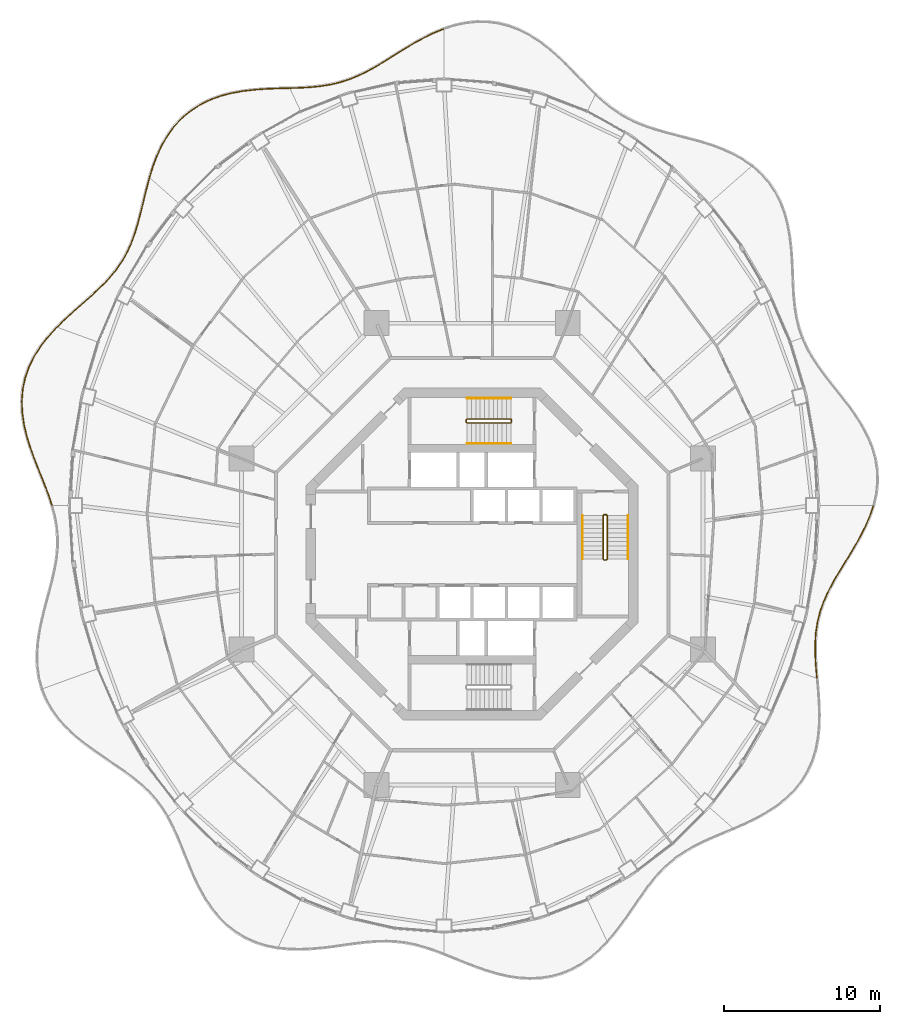
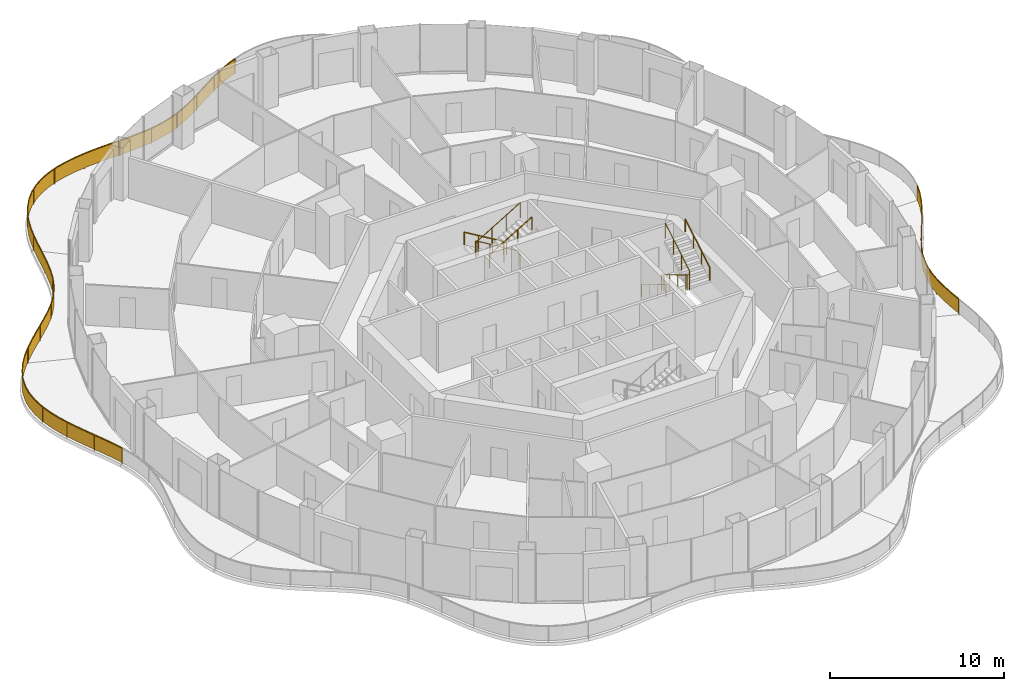
# One storey, part 17 of 18: 11 railings.
"""IFC4 building model written with IfcOpenShell, lengths in metres."""

from ifc_helpers import new_model, si_unit, direction, frame, origin, origin_2d, place, context, subcontext, project, spatial, polyline, rectangle, circle, outline, extrude, material, type_object, element, save


model = new_model("IFC4")

# Units and contexts
model_context = context("Model", 3, precision=1e-05, world=origin(), true_north=direction((0.0, 1.0)))
body_context = subcontext(model_context, "Body", "Model", "MODEL_VIEW")
ifc_project = project(units=[si_unit("LENGTHUNIT", "METRE"), si_unit("AREAUNIT", "SQUARE_METRE"), si_unit("VOLUMEUNIT", "CUBIC_METRE"), si_unit("PLANEANGLEUNIT", "RADIAN"), si_unit("MASSUNIT", "GRAM", prefix="KILO")], contexts=[model_context])

# Site, building, storey
site_placement = place(None, origin())
site = spatial("IfcSite", under=ifc_project, at=site_placement, CompositionType="ELEMENT")
building_placement = place(site_placement, origin())
building = spatial("IfcBuilding", under=site, at=building_placement, Name="Nagisa Residences", CompositionType="ELEMENT")
storey_placement = place(building_placement, frame((0.0, 0.0, 238.10009765625)))
storey = spatial("IfcBuildingStorey", under=building, at=storey_placement, Name="L60", CompositionType="ELEMENT", Elevation=238.10009765625)

# Railings
ifc_material_1 = material(Name="Stainless steel 316", Category="steel")
railing_type_1 = type_object("IfcRailingType", Name="BALCONY GUARD 1100", PredefinedType="BALUSTRADE", material=ifc_material_1)
railing_1_placement = place(storey_placement, frame((-1.835693359375, 33.625244140625, 0.0)))
element("IfcRailing", 1, at=railing_1_placement, inside=storey, type_object=railing_type_1, Name="guard:L60:bal04-0", PredefinedType="BALUSTRADE", context=body_context, shape_type="SweptSolid", body=[
    extrude(outline(polyline([(-0.6240234375, -0.28369140625), (0.009521484375, -0.023193359375), (-0.009521484375, 0.023193359375), (-0.64453125, -0.23779296875), (-1.3076171875, -0.560791015625), (-1.95166015625, -0.916259765625), (-2.575927734375, -1.2900390625), (-3.1826171875, -1.667724609375), (-3.755859375, -2.033935546875), (-4.335205078125, -2.381103515625), (-4.908447265625, -2.697509765625), (-5.480712890625, -2.974609375), (-6.0576171875, -3.20849609375), (-6.628173828125, -3.390869140625), (-7.231201171875, -3.53369140625), (-7.853271484375, -3.63525390625), (-8.496826171875, -3.7021484375), (-9.163330078125, -3.742431640625), (-9.80517578125, -3.762939453125), (-9.8037109375, -3.812744140625), (-9.160888671875, -3.792236328125), (-8.492919921875, -3.751953125), (-7.846435546875, -3.68505859375), (-7.221435546875, -3.5830078125), (-6.614990234375, -3.439208984375), (-6.04052734375, -3.25537109375), (-5.460205078125, -3.0205078125), (-4.885498046875, -2.741943359375), (-4.310302734375, -2.424560546875), (-3.7294921875, -2.076416015625), (-3.15576171875, -1.710205078125), (-2.550048828125, -1.33251953125), (-1.9267578125, -0.959716796875), (-1.28466796875, -0.605224609375), (-0.6240234375, -0.28369140625)])), frame((0.0, 0.0, 1.050048828125)), (0.0, 0.0, 1.0), 0.050048828125),
    extrude(outline(polyline([(-0.63134765625, -0.26708984375), (0.002685546875, -0.006591796875), (-0.002685546875, 0.006591796875), (-0.63720703125, -0.25439453125), (-1.29931640625, -0.576904296875), (-1.942626953125, -0.931884765625), (-2.566650390625, -1.305419921875), (-3.1728515625, -1.68310546875), (-3.746337890625, -2.04931640625), (-4.326171875, -2.396728515625), (-4.900146484375, -2.713623046875), (-5.473388671875, -2.9912109375), (-6.051513671875, -3.225341796875), (-6.62353515625, -3.408203125), (-7.227783203125, -3.551513671875), (-7.850830078125, -3.6533203125), (-8.495361328125, -3.719970703125), (-9.162353515625, -3.76025390625), (-9.8046875, -3.78076171875), (-9.80419921875, -3.794921875), (-9.161865234375, -3.7744140625), (-8.494384765625, -3.734130859375), (-7.848876953125, -3.6669921875), (-7.224853515625, -3.565185546875), (-6.61962890625, -3.421875), (-6.046630859375, -3.238525390625), (-5.467529296875, -3.00390625), (-4.893798828125, -2.725830078125), (-4.3193359375, -2.408935546875), (-3.739013671875, -2.06103515625), (-3.16552734375, -1.69482421875), (-2.559326171875, -1.317138671875), (-1.935791015625, -0.944091796875), (-1.29296875, -0.589111328125), (-0.63134765625, -0.26708984375)])), frame((0.0, 0.0, 0.06005859375)), (0.0, 0.0, 1.0), 0.989990234375),
    extrude(rectangle(XDim=0.0400390625, YDim=0.0400390625, at=origin_2d()), origin(), (0.0, 0.0, 1.0), 1.050048828125),
    extrude(rectangle(XDim=0.0400390625, YDim=0.0400390625, at=origin_2d()), frame((-1.92236328125, -0.9287109375, 0.0)), (0.0, 0.0, 1.0), 1.050048828125),
    extrude(rectangle(XDim=0.0400390625, YDim=0.0400390625, at=origin_2d()), frame((-3.739501953125, -2.05322265625, 0.0)), (0.0, 0.0, 1.0), 1.050048828125),
    extrude(rectangle(XDim=0.0400390625, YDim=0.0400390625, at=origin_2d()), frame((-5.622314453125, -3.05908203125, 0.0)), (0.0, 0.0, 1.0), 1.050048828125),
    extrude(rectangle(XDim=0.0400390625, YDim=0.0400390625, at=origin_2d()), frame((-7.674560546875, -3.631591796875, 0.0)), (0.0, 0.0, 1.0), 1.050048828125),
    extrude(rectangle(XDim=0.0400390625, YDim=0.0400390625, at=origin_2d()), frame((-9.804443359375, -3.787841796875, 0.0)), (0.0, 0.0, 1.0), 1.050048828125),
])
railing_2_placement = place(storey_placement, frame((-11.715576171875, 29.837158203125, 0.0)))
element("IfcRailing", 2, at=railing_2_placement, inside=storey, type_object=railing_type_1, Name="guard:L60:bal05-0", PredefinedType="BALUSTRADE", context=body_context, shape_type="SweptSolid", body=[
    extrude(outline(polyline([(-0.686767578125, -0.04150390625), (0.00048828125, -0.02490234375), (-0.00048828125, 0.02490234375), (-0.688232421875, 0.00830078125), (-1.435546875, -0.02099609375), (-2.1904296875, -0.072265625), (-2.9443359375, -0.159423828125), (-3.685791015625, -0.292236328125), (-4.39599609375, -0.474365234375), (-5.088134765625, -0.728759765625), (-5.739990234375, -1.0517578125), (-6.34375, -1.444580078125), (-6.892822265625, -1.90625), (-7.37109375, -2.421875), (-7.80126953125, -3.005859375), (-8.171875, -3.639404296875), (-8.48681640625, -4.31201171875), (-8.752685546875, -5.012939453125), (-8.961181640625, -5.687255859375), (-8.913330078125, -5.701904296875), (-8.705322265625, -5.029052734375), (-8.44091796875, -4.33154296875), (-8.12744140625, -3.662841796875), (-7.75927734375, -3.033203125), (-7.33251953125, -2.45361328125), (-6.858154296875, -1.9423828125), (-6.31396484375, -1.484619140625), (-5.715087890625, -1.09521484375), (-5.068115234375, -0.774658203125), (-4.38134765625, -0.522216796875), (-3.675048828125, -0.341064453125), (-2.93701171875, -0.208740234375), (-2.18603515625, -0.1220703125), (-1.43310546875, -0.07080078125), (-0.686767578125, -0.04150390625)])), frame((0.0, 0.0, 1.050048828125)), (0.0, 0.0, 1.0), 0.050048828125),
    extrude(outline(polyline([(-0.687255859375, -0.023681640625), (0.000244140625, -0.007080078125), (-0.000244140625, 0.007080078125), (-0.687744140625, -0.009521484375), (-1.434814453125, -0.038818359375), (-2.18896484375, -0.090087890625), (-2.941650390625, -0.17724609375), (-3.681884765625, -0.309814453125), (-4.390869140625, -0.49169921875), (-5.080810546875, -0.745361328125), (-5.73095703125, -1.0673828125), (-6.3330078125, -1.458984375), (-6.88037109375, -1.919189453125), (-7.357177734375, -2.433349609375), (-7.7861328125, -3.015625), (-8.15576171875, -3.64794921875), (-8.47021484375, -4.319091796875), (-8.735595703125, -5.018798828125), (-8.94384765625, -5.692626953125), (-8.9306640625, -5.696533203125), (-8.722412109375, -5.023193359375), (-8.45751953125, -4.324462890625), (-8.1435546875, -3.654296875), (-7.7744140625, -3.0234375), (-7.346435546875, -2.442138671875), (-6.87060546875, -1.929443359375), (-6.32470703125, -1.47021484375), (-5.72412109375, -1.07958984375), (-5.075439453125, -0.758056640625), (-4.386474609375, -0.5048828125), (-3.678955078125, -0.323486328125), (-2.939697265625, -0.19091796875), (-2.1875, -0.104248046875), (-1.433837890625, -0.052978515625), (-0.687255859375, -0.023681640625)])), frame((0.0, 0.0, 0.06005859375)), (0.0, 0.0, 1.0), 0.989990234375),
    extrude(rectangle(XDim=0.0400390625, YDim=0.0400390625, at=origin_2d()), origin(), (0.0, 0.0, 1.0), 1.050048828125),
    extrude(rectangle(XDim=0.0400390625, YDim=0.0400390625, at=origin_2d()), frame((-2.33056640625, -0.113525390625, 0.0)), (0.0, 0.0, 1.0), 1.050048828125),
    extrude(rectangle(XDim=0.0400390625, YDim=0.0400390625, at=origin_2d()), frame((-4.611083984375, -0.580078125, 0.0)), (0.0, 0.0, 1.0), 1.050048828125),
    extrude(rectangle(XDim=0.0400390625, YDim=0.0400390625, at=origin_2d()), frame((-6.630615234375, -1.718505859375, 0.0)), (0.0, 0.0, 1.0), 1.050048828125),
    extrude(rectangle(XDim=0.0400390625, YDim=0.0400390625, at=origin_2d()), frame((-8.07861328125, -3.52978515625, 0.0)), (0.0, 0.0, 1.0), 1.050048828125),
    extrude(rectangle(XDim=0.0400390625, YDim=0.0400390625, at=origin_2d()), frame((-8.937255859375, -5.694580078125, 0.0)), (0.0, 0.0, 1.0), 1.050048828125),
])
railing_3_placement = place(storey_placement, frame((-20.673095703125, 24.068115234375, 0.0)))
element("IfcRailing", 3, at=railing_3_placement, inside=storey, type_object=railing_type_1, Name="guard:L60:bal06-0", PredefinedType="BALUSTRADE", context=body_context, shape_type="SweptSolid", body=[
    extrude(outline(polyline([(-0.164794921875, -0.72021484375), (0.024169921875, -0.00634765625), (-0.024169921875, 0.00634765625), (-0.213134765625, -0.7080078125), (-0.39697265625, -1.459716796875), (-0.57470703125, -2.195068359375), (-0.761474609375, -2.905029296875), (-0.969970703125, -3.58349609375), (-1.204345703125, -4.214599609375), (-1.490234375, -4.822998046875), (-1.82568359375, -5.397705078125), (-2.21435546875, -5.94287109375), (-2.6552734375, -6.46484375), (-3.13818359375, -6.957763671875), (-3.667724609375, -7.45556640625), (-4.22705078125, -7.953857421875), (-4.80224609375, -8.4609375), (-5.377685546875, -8.98388671875), (-5.90576171875, -9.495361328125), (-5.87109375, -9.531494140625), (-5.343505859375, -9.0205078125), (-4.76904296875, -8.498046875), (-4.19384765625, -7.991455078125), (-3.634033203125, -7.49267578125), (-3.10302734375, -6.993408203125), (-2.6181640625, -6.49853515625), (-2.1748046875, -5.9736328125), (-1.78369140625, -5.425048828125), (-1.44580078125, -4.846435546875), (-1.157958984375, -4.234130859375), (-0.922607421875, -3.599609375), (-0.713134765625, -2.918701171875), (-0.5263671875, -2.207275390625), (-0.34814453125, -1.471435546875), (-0.164794921875, -0.72021484375)])), frame((0.0, 0.0, 1.050048828125)), (0.0, 0.0, 1.0), 0.050048828125),
    extrude(outline(polyline([(-0.18212890625, -0.7158203125), (0.0068359375, -0.001708984375), (-0.0068359375, 0.001708984375), (-0.19580078125, -0.71240234375), (-0.37939453125, -1.4638671875), (-0.557373046875, -2.199462890625), (-0.744140625, -2.909912109375), (-0.952880859375, -3.58935546875), (-1.1875, -4.2216796875), (-1.47412109375, -4.83154296875), (-1.810546875, -5.407470703125), (-2.2001953125, -5.953857421875), (-2.641845703125, -6.47705078125), (-3.12548828125, -6.970703125), (-3.655517578125, -7.468994140625), (-4.215087890625, -7.967529296875), (-4.790283203125, -8.474365234375), (-5.365478515625, -8.9970703125), (-5.893310546875, -9.50830078125), (-5.883544921875, -9.5185546875), (-5.355712890625, -9.00732421875), (-4.781005859375, -8.484619140625), (-4.205810546875, -7.977783203125), (-3.646240234375, -7.479248046875), (-3.11572265625, -6.98046875), (-2.631591796875, -6.486328125), (-2.18896484375, -5.962646484375), (-1.798828125, -5.415283203125), (-1.4619140625, -4.837890625), (-1.1748046875, -4.22705078125), (-0.939697265625, -3.59375), (-0.73046875, -2.913818359375), (-0.543701171875, -2.202880859375), (-0.36572265625, -1.46728515625), (-0.18212890625, -0.7158203125)])), frame((0.0, 0.0, 0.06005859375)), (0.0, 0.0, 1.0), 0.989990234375),
    extrude(rectangle(XDim=0.0400390625, YDim=0.0400390625, at=origin_2d()), origin(), (0.0, 0.0, 1.0), 1.050048828125),
    extrude(rectangle(XDim=0.0400390625, YDim=0.0400390625, at=origin_2d()), frame((-0.560302734375, -2.238037109375, 0.0)), (0.0, 0.0, 1.0), 1.050048828125),
    extrude(rectangle(XDim=0.0400390625, YDim=0.0400390625, at=origin_2d()), frame((-1.276611328125, -4.427490234375, 0.0)), (0.0, 0.0, 1.0), 1.050048828125),
    extrude(rectangle(XDim=0.0400390625, YDim=0.0400390625, at=origin_2d()), frame((-2.52880859375, -6.35400390625, 0.0)), (0.0, 0.0, 1.0), 1.050048828125),
    extrude(rectangle(XDim=0.0400390625, YDim=0.0400390625, at=origin_2d()), frame((-4.18896484375, -7.95361328125, 0.0)), (0.0, 0.0, 1.0), 1.050048828125),
    extrude(rectangle(XDim=0.0400390625, YDim=0.0400390625, at=origin_2d()), frame((-5.888427734375, -9.513427734375, 0.0)), (0.0, 0.0, 1.0), 1.050048828125),
])
railing_4_placement = place(storey_placement, frame((-26.615966796875, 14.500244140625, 0.0)))
element("IfcRailing", 4, at=railing_4_placement, inside=storey, type_object=railing_type_1, Name="guard:L60:bal07-0", PredefinedType="BALUSTRADE", context=body_context, shape_type="SweptSolid", body=[
    extrude(outline(polyline([(-0.49365234375, -0.5712890625), (0.018310546875, -0.01708984375), (-0.018310546875, 0.01708984375), (-0.53173828125, -0.53857421875), (-1.021728515625, -1.1611328125), (-1.443115234375, -1.81689453125), (-1.783935546875, -2.504150390625), (-2.0341796875, -3.219970703125), (-2.186279296875, -3.9462890625), (-2.24560546875, -4.7041015625), (-2.2138671875, -5.473388671875), (-2.099365234375, -6.247314453125), (-1.91455078125, -7.019775390625), (-1.673828125, -7.771240234375), (-1.398193359375, -8.525146484375), (-1.10498046875, -9.26513671875), (-0.814208984375, -9.98974609375), (-0.543701171875, -10.69970703125), (-0.322509765625, -11.356689453125), (-0.275146484375, -11.340576171875), (-0.496826171875, -10.6826171875), (-0.767822265625, -9.9716796875), (-1.05859375, -9.24658203125), (-1.351318359375, -8.507568359375), (-1.62646484375, -7.755126953125), (-1.8662109375, -7.006103515625), (-2.050048828125, -6.238037109375), (-2.1640625, -5.468505859375), (-2.1953125, -4.705078125), (-2.136474609375, -3.95361328125), (-1.98583984375, -3.233642578125), (-1.737548828125, -2.523681640625), (-1.399658203125, -1.841796875), (-0.980712890625, -1.1904296875), (-0.49365234375, -0.5712890625)])), frame((0.0, 0.0, 1.050048828125)), (0.0, 0.0, 1.0), 0.050048828125),
    extrude(outline(polyline([(-0.50732421875, -0.5595703125), (0.005126953125, -0.004638671875), (-0.005126953125, 0.004638671875), (-0.51806640625, -0.55029296875), (-1.0068359375, -1.171630859375), (-1.427490234375, -1.825927734375), (-1.76708984375, -2.51123046875), (-2.016845703125, -3.224853515625), (-2.168212890625, -3.948974609375), (-2.2275390625, -4.704345703125), (-2.196044921875, -5.4716796875), (-2.08154296875, -6.243896484375), (-1.897216796875, -7.014892578125), (-1.65673828125, -7.765380859375), (-1.38134765625, -8.518798828125), (-1.08837890625, -9.258544921875), (-0.797607421875, -9.983154296875), (-0.52685546875, -10.693603515625), (-0.305419921875, -11.350830078125), (-0.292236328125, -11.346435546875), (-0.513671875, -10.688720703125), (-0.784423828125, -9.978271484375), (-1.0751953125, -9.253173828125), (-1.3681640625, -8.513916015625), (-1.6435546875, -7.760986328125), (-1.883544921875, -7.010986328125), (-2.06787109375, -6.241455078125), (-2.181884765625, -5.47021484375), (-2.21337890625, -4.704833984375), (-2.154541015625, -3.950927734375), (-2.003173828125, -3.228759765625), (-1.75439453125, -2.5166015625), (-1.415283203125, -1.832763671875), (-0.99560546875, -1.179931640625), (-0.50732421875, -0.5595703125)])), frame((0.0, 0.0, 0.06005859375)), (0.0, 0.0, 1.0), 0.989990234375),
    extrude(rectangle(XDim=0.0400390625, YDim=0.0400390625, at=origin_2d()), origin(), (0.0, 0.0, 1.0), 1.050048828125),
    extrude(rectangle(XDim=0.0400390625, YDim=0.0400390625, at=origin_2d()), frame((-1.273681640625, -1.599609375, 0.0)), (0.0, 0.0, 1.0), 1.050048828125),
    extrude(rectangle(XDim=0.0400390625, YDim=0.0400390625, at=origin_2d()), frame((-2.062744140625, -3.478515625, 0.0)), (0.0, 0.0, 1.0), 1.050048828125),
    extrude(rectangle(XDim=0.0400390625, YDim=0.0400390625, at=origin_2d()), frame((-2.1826171875, -5.514404296875, 0.0)), (0.0, 0.0, 1.0), 1.050048828125),
    extrude(rectangle(XDim=0.0400390625, YDim=0.0400390625, at=origin_2d()), frame((-1.7314453125, -7.50927734375, 0.0)), (0.0, 0.0, 1.0), 1.050048828125),
    extrude(rectangle(XDim=0.0400390625, YDim=0.0400390625, at=origin_2d()), frame((-1.0126953125, -9.427978515625, 0.0)), (0.0, 0.0, 1.0), 1.050048828125),
    extrude(rectangle(XDim=0.0400390625, YDim=0.0400390625, at=origin_2d()), frame((-0.298828125, -11.3486328125, 0.0)), (0.0, 0.0, 1.0), 1.050048828125),
])
railing_5_placement = place(storey_placement, frame((22.072998046875, -7.923095703125, 0.0)))
element("IfcRailing", 5, at=railing_5_placement, inside=storey, type_object=railing_type_1, Name="guard:L60:bal15-0", PredefinedType="BALUSTRADE", context=body_context, shape_type="SweptSolid", body=[
    extrude(outline(polyline([(-0.08642578125, 0.725341796875), (-0.02490234375, -0.002197265625), (0.02490234375, 0.002197265625), (-0.03662109375, 0.728759765625), (-0.07763671875, 1.4775390625), (-0.081298828125, 2.20263671875), (-0.03515625, 2.904296875), (0.06982421875, 3.584716796875), (0.2353515625, 4.2353515625), (0.46826171875, 4.887939453125), (0.761474609375, 5.53466796875), (1.106201171875, 6.18212890625), (1.49072265625, 6.835205078125), (1.897216796875, 7.485595703125), (2.3115234375, 8.164306640625), (2.712890625, 8.859130859375), (3.08154296875, 9.5712890625), (3.399169921875, 10.29931640625), (3.6357421875, 10.99609375), (3.58837890625, 11.01220703125), (3.352294921875, 10.3173828125), (3.0361328125, 9.5927734375), (2.6689453125, 8.883056640625), (2.2685546875, 8.189697265625), (1.854736328125, 7.511962890625), (1.44775390625, 6.861083984375), (1.062744140625, 6.20654296875), (0.716552734375, 5.556640625), (0.421875, 4.906494140625), (0.1875, 4.25), (0.0205078125, 3.594970703125), (-0.0849609375, 2.90966796875), (-0.131591796875, 2.2041015625), (-0.12744140625, 1.47607421875), (-0.08642578125, 0.725341796875)])), frame((0.0, 0.0, 1.050048828125)), (0.0, 0.0, 1.0), 0.050048828125),
    extrude(outline(polyline([(-0.068603515625, 0.7265625), (-0.007080078125, -0.00048828125), (0.007080078125, 0.00048828125), (-0.054443359375, 0.7275390625), (-0.095458984375, 1.47705078125), (-0.099365234375, 2.203125), (-0.052978515625, 2.90625), (0.052001953125, 3.58837890625), (0.218017578125, 4.24072265625), (0.45166015625, 4.89453125), (0.745361328125, 5.54248046875), (1.090576171875, 6.19091796875), (1.475341796875, 6.844482421875), (1.8818359375, 7.4951171875), (2.296142578125, 8.17333984375), (2.697021484375, 8.86767578125), (3.065185546875, 9.5791015625), (3.38232421875, 10.305908203125), (3.61865234375, 11.001953125), (3.60546875, 11.00634765625), (3.369140625, 10.310791015625), (3.052490234375, 9.5849609375), (2.684814453125, 8.87451171875), (2.283935546875, 8.1806640625), (1.8701171875, 7.50244140625), (1.463134765625, 6.851806640625), (1.078369140625, 6.19775390625), (0.732666015625, 5.548828125), (0.4384765625, 4.89990234375), (0.204833984375, 4.24462890625), (0.038330078125, 3.59130859375), (-0.067138671875, 2.90771484375), (-0.113525390625, 2.20361328125), (-0.109619140625, 1.4765625), (-0.068603515625, 0.7265625)])), frame((0.0, 0.0, 0.06005859375)), (0.0, 0.0, 1.0), 0.989990234375),
    extrude(rectangle(XDim=0.0400390625, YDim=0.0400390625, at=origin_2d()), origin(), (0.0, 0.0, 1.0), 1.050048828125),
    extrude(rectangle(XDim=0.0400390625, YDim=0.0400390625, at=origin_2d()), frame((-0.095458984375, 2.36962890625, 0.0)), (0.0, 0.0, 1.0), 1.050048828125),
    extrude(rectangle(XDim=0.0400390625, YDim=0.0400390625, at=origin_2d()), frame((0.36962890625, 4.685791015625, 0.0)), (0.0, 0.0, 1.0), 1.050048828125),
    extrude(rectangle(XDim=0.0400390625, YDim=0.0400390625, at=origin_2d()), frame((1.440673828125, 6.7998046875, 0.0)), (0.0, 0.0, 1.0), 1.050048828125),
    extrude(rectangle(XDim=0.0400390625, YDim=0.0400390625, at=origin_2d()), frame((2.66796875, 8.831298828125, 0.0)), (0.0, 0.0, 1.0), 1.050048828125),
    extrude(rectangle(XDim=0.0400390625, YDim=0.0400390625, at=origin_2d()), frame((3.612060546875, 11.004150390625, 0.0)), (0.0, 0.0, 1.0), 1.050048828125),
])
ifc_material_2 = material(Name="Stainless steel", Category="steel")
railing_type_2 = type_object("IfcRailingType", Name="Stair guard 1100", PredefinedType="GUARDRAIL", material=ifc_material_2)
railing_6_placement = place(storey_placement, frame((8.599609375, 2.52490234375, 0.0)))
element("IfcRailing", 6, at=railing_6_placement, inside=storey, type_object=railing_type_2, Name="L60 ST-E stair guard 1", PredefinedType="GUARDRAIL", context=body_context, shape_type="SweptSolid", body=[
    extrude(circle(Radius=0.02392578125, at=origin_2d()), frame((0.0, 0.0, 1.076171875), z_axis=(-1.0, 0.0, 0.0), x_axis=(0.0, -1.0, 0.0)), (0.0, 0.0, 1.0), 0.14990234375),
    extrude(circle(Radius=0.02392578125, at=origin_2d()), frame((-0.14990234375, 0.0, 1.076171875), z_axis=(-0.274683208305, -0.273343290215, 0.921863645432), x_axis=(0.705375805398, -0.708833529934, 0.0)), (0.0, 0.0, 1.0), 0.18212890625),
    extrude(circle(Radius=0.02392578125, at=origin_2d()), frame((-0.199951171875, -0.0498046875, 1.244140625), z_axis=(0.0, -0.857242210791, 0.514913383045), x_axis=(1.0, 0.0, 0.0)), (0.0, 0.0, 1.0), 3.266357421875),
    extrude(circle(Radius=0.02392578125, at=origin_2d()), frame((-0.199951171875, -2.849853515625, 2.92578125), z_axis=(0.707106781187, -0.707106781187, 0.0), x_axis=(0.707106781187, 0.707106781187, 0.0)), (0.0, 0.0, 1.0), 0.07080078125),
    extrude(circle(Radius=0.02392578125, at=origin_2d()), frame((-0.14990234375, -2.89990234375, 2.92578125), z_axis=(1.0, 0.0, 0.0), x_axis=(0.0, 1.0, 0.0)), (0.0, 0.0, 1.0), 0.14990234375),
    extrude(circle(Radius=0.02392578125, at=origin_2d()), frame((0.0, -2.89990234375, 2.92578125), z_axis=(0.274243871929, 0.274243871929, 0.92172696468), x_axis=(-0.707106781187, 0.707106781187, 0.0)), (0.0, 0.0, 1.0), 0.1826171875),
    extrude(circle(Radius=0.02392578125, at=origin_2d()), frame((0.050048828125, -2.849853515625, 3.09423828125), z_axis=(0.0, 0.857242210791, 0.514913383045), x_axis=(-1.0, 0.0, 0.0)), (0.0, 0.0, 1.0), 3.266357421875),
    extrude(circle(Radius=0.02099609375, at=origin_2d()), origin(), (0.0, 0.0, 1.0), 1.052001953125),
    extrude(circle(Radius=0.02099609375, at=origin_2d()), frame((-0.14990234375, 0.0, 0.0)), (0.0, 0.0, 1.0), 1.052001953125),
    extrude(circle(Radius=0.02099609375, at=origin_2d()), frame((-0.199951171875, -0.0498046875, 0.16796875)), (0.0, 0.0, 1.0), 1.052001953125),
    extrude(circle(Radius=0.02099609375, at=origin_2d()), frame((-0.199951171875, -0.983154296875, 0.728515625)), (0.0, 0.0, 1.0), 1.052001953125),
    extrude(circle(Radius=0.02099609375, at=origin_2d()), frame((-0.199951171875, -1.91650390625, 1.289306640625)), (0.0, 0.0, 1.0), 1.052001953125),
    extrude(circle(Radius=0.02099609375, at=origin_2d()), frame((-0.199951171875, -2.849853515625, 1.849853515625)), (0.0, 0.0, 1.0), 1.052001953125),
    extrude(circle(Radius=0.02099609375, at=origin_2d()), frame((-0.14990234375, -2.89990234375, 1.849853515625)), (0.0, 0.0, 1.0), 1.052001953125),
    extrude(circle(Radius=0.02099609375, at=origin_2d()), frame((0.0, -2.89990234375, 1.849853515625)), (0.0, 0.0, 1.0), 1.052001953125),
    extrude(circle(Radius=0.02099609375, at=origin_2d()), frame((0.050048828125, -2.849853515625, 2.01806640625)), (0.0, 0.0, 1.0), 1.052001953125),
    extrude(circle(Radius=0.02099609375, at=origin_2d()), frame((0.050048828125, -1.91650390625, 2.57861328125)), (0.0, 0.0, 1.0), 1.052001953125),
    extrude(circle(Radius=0.02099609375, at=origin_2d()), frame((0.050048828125, -0.983154296875, 3.139404296875)), (0.0, 0.0, 1.0), 1.052001953125),
    extrude(circle(Radius=0.02099609375, at=origin_2d()), frame((0.050048828125, -0.0498046875, 3.699951171875)), (0.0, 0.0, 1.0), 1.052001953125),
])
railing_7_placement = place(storey_placement, frame((2.52490234375, 8.44970703125, 0.0)))
element("IfcRailing", 7, at=railing_7_placement, inside=storey, type_object=railing_type_2, Name="L60 ST-N stair guard 1", PredefinedType="GUARDRAIL", context=body_context, shape_type="SweptSolid", body=[
    extrude(circle(Radius=0.02392578125, at=origin_2d()), frame((0.0, 0.0, 1.076171875), z_axis=(0.0, 1.0, 0.0), x_axis=(-1.0, 0.0, 0.0)), (0.0, 0.0, 1.0), 0.14990234375),
    extrude(circle(Radius=0.02392578125, at=origin_2d()), frame((0.0, 0.14990234375, 1.076171875), z_axis=(-0.273343290215, 0.274683208305, 0.921863645432), x_axis=(-0.708833529934, -0.705375805398, 0.0)), (0.0, 0.0, 1.0), 0.18212890625),
    extrude(circle(Radius=0.02392578125, at=origin_2d()), frame((-0.0498046875, 0.199951171875, 1.244140625), z_axis=(-0.857242210791, 0.0, 0.514913383045), x_axis=(0.0, -1.0, 0.0)), (0.0, 0.0, 1.0), 3.266357421875),
    extrude(circle(Radius=0.02392578125, at=origin_2d()), frame((-2.849853515625, 0.199951171875, 2.92578125), z_axis=(-0.707106781187, -0.707106781187, 0.0), x_axis=(0.707106781187, -0.707106781187, 0.0)), (0.0, 0.0, 1.0), 0.07080078125),
    extrude(circle(Radius=0.02392578125, at=origin_2d()), frame((-2.89990234375, 0.14990234375, 2.92578125), z_axis=(0.0, -1.0, 0.0), x_axis=(1.0, 0.0, 0.0)), (0.0, 0.0, 1.0), 0.14990234375),
    extrude(circle(Radius=0.02392578125, at=origin_2d()), frame((-2.89990234375, 0.0, 2.92578125), z_axis=(0.274243871929, -0.274243871929, 0.92172696468), x_axis=(0.707106781187, 0.707106781187, 0.0)), (0.0, 0.0, 1.0), 0.1826171875),
    extrude(circle(Radius=0.02392578125, at=origin_2d()), frame((-2.849853515625, -0.050048828125, 3.09423828125), z_axis=(0.857242210791, 0.0, 0.514913383045), x_axis=(0.0, 1.0, 0.0)), (0.0, 0.0, 1.0), 3.266357421875),
    extrude(circle(Radius=0.02099609375, at=origin_2d()), origin(), (0.0, 0.0, 1.0), 1.052001953125),
    extrude(circle(Radius=0.02099609375, at=origin_2d()), frame((0.0, 0.14990234375, 0.0)), (0.0, 0.0, 1.0), 1.052001953125),
    extrude(circle(Radius=0.02099609375, at=origin_2d()), frame((-0.0498046875, 0.199951171875, 0.16796875)), (0.0, 0.0, 1.0), 1.052001953125),
    extrude(circle(Radius=0.02099609375, at=origin_2d()), frame((-0.983154296875, 0.199951171875, 0.728515625)), (0.0, 0.0, 1.0), 1.052001953125),
    extrude(circle(Radius=0.02099609375, at=origin_2d()), frame((-1.91650390625, 0.199951171875, 1.289306640625)), (0.0, 0.0, 1.0), 1.052001953125),
    extrude(circle(Radius=0.02099609375, at=origin_2d()), frame((-2.849853515625, 0.199951171875, 1.849853515625)), (0.0, 0.0, 1.0), 1.052001953125),
    extrude(circle(Radius=0.02099609375, at=origin_2d()), frame((-2.89990234375, 0.14990234375, 1.849853515625)), (0.0, 0.0, 1.0), 1.052001953125),
    extrude(circle(Radius=0.02099609375, at=origin_2d()), frame((-2.89990234375, 0.0, 1.849853515625)), (0.0, 0.0, 1.0), 1.052001953125),
    extrude(circle(Radius=0.02099609375, at=origin_2d()), frame((-2.849853515625, -0.050048828125, 2.01806640625)), (0.0, 0.0, 1.0), 1.052001953125),
    extrude(circle(Radius=0.02099609375, at=origin_2d()), frame((-1.91650390625, -0.050048828125, 2.57861328125)), (0.0, 0.0, 1.0), 1.052001953125),
    extrude(circle(Radius=0.02099609375, at=origin_2d()), frame((-0.983154296875, -0.050048828125, 3.139404296875)), (0.0, 0.0, 1.0), 1.052001953125),
    extrude(circle(Radius=0.02099609375, at=origin_2d()), frame((-0.0498046875, -0.050048828125, 3.699951171875)), (0.0, 0.0, 1.0), 1.052001953125),
])
ifc_material_3 = material(Name="Stainless steel", Category="steel")
railing_type_3 = type_object("IfcRailingType", Name="Stair handrail 900", PredefinedType="HANDRAIL", material=ifc_material_3)
railing_8_placement = place(storey_placement, frame((7.07470703125, 2.47509765625, 0.16796875)))
element("IfcRailing", 8, at=railing_8_placement, inside=storey, type_object=railing_type_3, Name="L60 ST-E stair handrail 1", PredefinedType="HANDRAIL", context=body_context, shape_type="SweptSolid", body=[
    extrude(circle(Radius=0.02392578125, at=origin_2d()), frame((0.0, 0.0, 0.8759765625), z_axis=(0.0, -0.857242210791, 0.514913383045), x_axis=(1.0, 0.0, 0.0)), (0.0, 0.0, 1.0), 3.266357421875),
    extrude(circle(Radius=0.02099609375, at=origin_2d()), origin(), (0.0, 0.0, 1.0), 0.851806640625),
    extrude(circle(Radius=0.02099609375, at=origin_2d()), frame((0.0, -0.933349609375, 0.560546875)), (0.0, 0.0, 1.0), 0.851806640625),
    extrude(circle(Radius=0.02099609375, at=origin_2d()), frame((0.0, -1.86669921875, 1.121337890625)), (0.0, 0.0, 1.0), 0.851806640625),
    extrude(circle(Radius=0.02099609375, at=origin_2d()), frame((0.0, -2.800048828125, 1.681884765625)), (0.0, 0.0, 1.0), 0.851806640625),
])
railing_9_placement = place(storey_placement, frame((9.974609375, -0.324951171875, 2.01806640625)))
element("IfcRailing", 9, at=railing_9_placement, inside=storey, type_object=railing_type_3, Name="L60 ST-E stair handrail 2", PredefinedType="HANDRAIL", context=body_context, shape_type="SweptSolid", body=[
    extrude(circle(Radius=0.02392578125, at=origin_2d()), frame((0.0, 0.0, 0.8759765625), z_axis=(0.0, 0.857242210791, 0.514913383045), x_axis=(-1.0, 0.0, 0.0)), (0.0, 0.0, 1.0), 3.266357421875),
    extrude(circle(Radius=0.02099609375, at=origin_2d()), origin(), (0.0, 0.0, 1.0), 0.851806640625),
    extrude(circle(Radius=0.02099609375, at=origin_2d()), frame((0.0, 0.933349609375, 0.560546875)), (0.0, 0.0, 1.0), 0.851806640625),
    extrude(circle(Radius=0.02099609375, at=origin_2d()), frame((0.0, 1.86669921875, 1.121337890625)), (0.0, 0.0, 1.0), 0.851806640625),
    extrude(circle(Radius=0.02099609375, at=origin_2d()), frame((0.0, 2.800048828125, 1.681884765625)), (0.0, 0.0, 1.0), 0.851806640625),
])
railing_10_placement = place(storey_placement, frame((2.47509765625, 9.974609375, 0.16796875)))
element("IfcRailing", 10, at=railing_10_placement, inside=storey, type_object=railing_type_3, Name="L60 ST-N stair handrail 1", PredefinedType="HANDRAIL", context=body_context, shape_type="SweptSolid", body=[
    extrude(circle(Radius=0.02392578125, at=origin_2d()), frame((0.0, 0.0, 0.8759765625), z_axis=(-0.857242210791, 0.0, 0.514913383045), x_axis=(0.0, -1.0, 0.0)), (0.0, 0.0, 1.0), 3.266357421875),
    extrude(circle(Radius=0.02099609375, at=origin_2d()), origin(), (0.0, 0.0, 1.0), 0.851806640625),
    extrude(circle(Radius=0.02099609375, at=origin_2d()), frame((-0.933349609375, 0.0, 0.560546875)), (0.0, 0.0, 1.0), 0.851806640625),
    extrude(circle(Radius=0.02099609375, at=origin_2d()), frame((-1.86669921875, 0.0, 1.121337890625)), (0.0, 0.0, 1.0), 0.851806640625),
    extrude(circle(Radius=0.02099609375, at=origin_2d()), frame((-2.800048828125, 0.0, 1.681884765625)), (0.0, 0.0, 1.0), 0.851806640625),
])
railing_11_placement = place(storey_placement, frame((-0.324951171875, 7.07470703125, 2.01806640625)))
element("IfcRailing", 11, at=railing_11_placement, inside=storey, type_object=railing_type_3, Name="L60 ST-N stair handrail 2", PredefinedType="HANDRAIL", context=body_context, shape_type="SweptSolid", body=[
    extrude(circle(Radius=0.02392578125, at=origin_2d()), frame((0.0, 0.0, 0.8759765625), z_axis=(0.857242210791, 0.0, 0.514913383045), x_axis=(0.0, 1.0, 0.0)), (0.0, 0.0, 1.0), 3.266357421875),
    extrude(circle(Radius=0.02099609375, at=origin_2d()), origin(), (0.0, 0.0, 1.0), 0.851806640625),
    extrude(circle(Radius=0.02099609375, at=origin_2d()), frame((0.933349609375, 0.0, 0.560546875)), (0.0, 0.0, 1.0), 0.851806640625),
    extrude(circle(Radius=0.02099609375, at=origin_2d()), frame((1.86669921875, 0.0, 1.121337890625)), (0.0, 0.0, 1.0), 0.851806640625),
    extrude(circle(Radius=0.02099609375, at=origin_2d()), frame((2.800048828125, 0.0, 1.681884765625)), (0.0, 0.0, 1.0), 0.851806640625),
])

save(model, "model.ifc")
